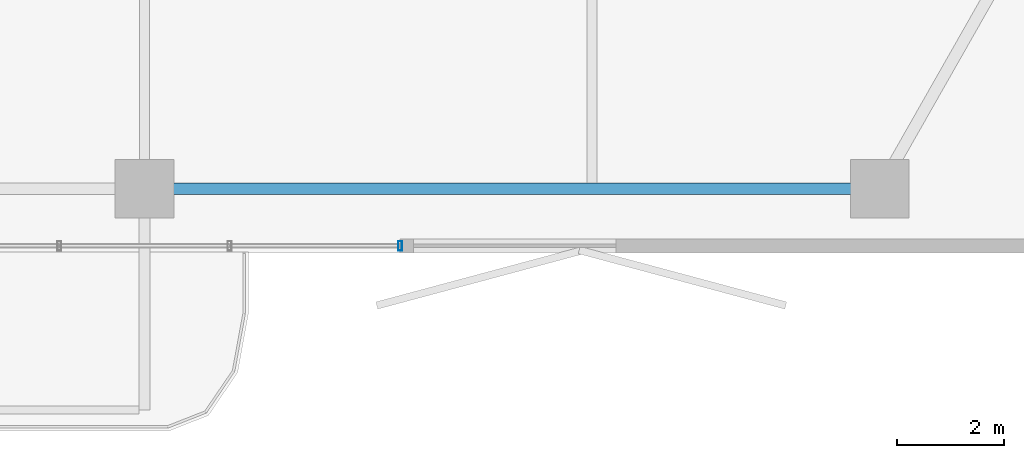
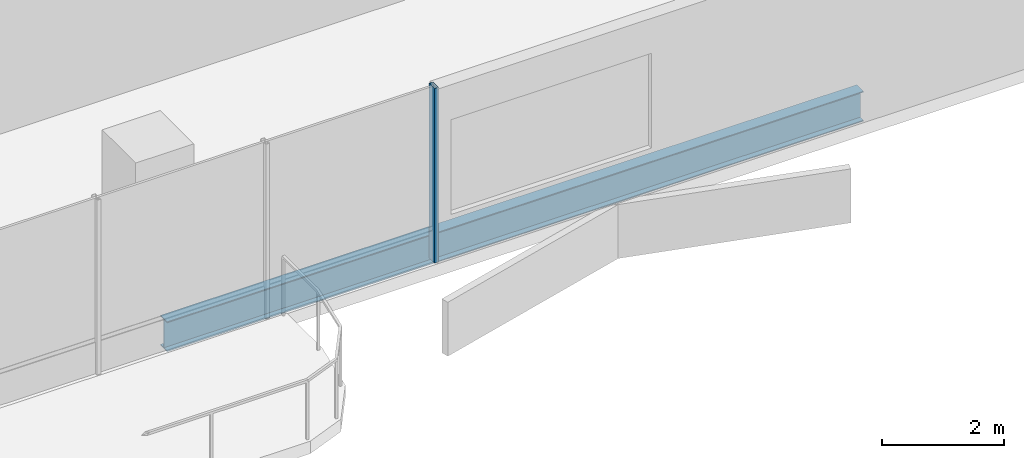
# One storey, part 6 of 24: 1 beam, 1 member, 1 element without a shape of its own.
"""IFC4 building model written with IfcOpenShell, lengths in metres."""

from ifc_helpers import new_model, si_unit, direction, frame, origin, origin_2d, place, context, subcontext, project, spatial, hollow_rectangle, i_section, extrude, material, layer, layer_set, material_profile, profile_set, type_object, element, aggregate, save


model = new_model("IFC4")

# Units and contexts
model_context = context("Model", 3, precision=1e-05, world=origin(), true_north=direction((0.0, 1.0)))
body_context = subcontext(model_context, "Body", "Model", "MODEL_VIEW")
ifc_project = project(units=[si_unit("LENGTHUNIT", "METRE"), si_unit("AREAUNIT", "SQUARE_METRE"), si_unit("VOLUMEUNIT", "CUBIC_METRE"), si_unit("PLANEANGLEUNIT", "RADIAN"), si_unit("MASSUNIT", "GRAM", prefix="KILO")], contexts=[model_context])

# Site, building, storey
site_placement = place(None, origin())
site = spatial("IfcSite", under=ifc_project, at=site_placement, CompositionType="ELEMENT")
building_placement = place(site_placement, origin())
building = spatial("IfcBuilding", under=site, at=building_placement, Name="Belovzor Exchange Tower", CompositionType="ELEMENT")
storey_placement = place(building_placement, frame((0.0, 0.0, 207.449951171875)))
storey = spatial("IfcBuildingStorey", under=building, at=storey_placement, Name="L51", CompositionType="ELEMENT", Elevation=207.449951171875)

# Curtain wall, member
ifc_material_1 = material(Name="Anodised Aluminium Framing", Category="aluminium")
ifc_layer = layer(ifc_material_1, 0.179931640625)
ifc_layer_set = layer_set([ifc_layer], Name="Anodised Aluminium Framing")
curtain_wall_type = type_object("IfcCurtainWallType", Name="Recessed Loggia Low-Iron Triple-Glazed Curtain Wall", PredefinedType="NOTDEFINED", material=ifc_layer_set)
curtain_wall_placement = place(storey_placement, origin())
curtain_wall = element("IfcCurtainWall", 1, at=curtain_wall_placement, inside=storey, type_object=curtain_wall_type, Name="CW3 Recessed Loggia Low-Iron Triple-Glazed Curtain Wall L51", PredefinedType="NOTDEFINED")
ifc_material_2 = material(Name="Steel S355", Category="steel")
ifc_material_profile_1 = material_profile(ifc_material_2, hollow_rectangle(XDim=0.074951171875, YDim=0.179931640625, WallThickness=0.0048828125, at=origin_2d()))
ifc_profile_set_1 = profile_set([ifc_material_profile_1], Name="Steel S355")
member_type = type_object("IfcMemberType", Name="Thermally Broken Curtain Wall Mullion 180x75", PredefinedType="MULLION", material=ifc_profile_set_1)
member_placement = place(storey_placement, frame((33.60009765625, 1.929931640625, 0.0), z_axis=(0.0, 0.0, 1.0), x_axis=(-1.0, 0.0, 0.0)))
member = element("IfcMember", 2, at=member_placement, type_object=member_type, Name="CW-M180 Curtain Wall Mullion 1", PredefinedType="MULLION", context=body_context, shape_type="SweptSolid", body=[
    extrude(hollow_rectangle(XDim=0.074951171875, YDim=0.179931640625, WallThickness=0.0048828125, at=origin_2d()), origin(), (0.0, 0.0, 1.0), 3.5),
])
aggregate(curtain_wall, [member])

# Beam
ifc_material_3 = material(Name="Steel S355", Category="steel")
ifc_material_profile_2 = material_profile(ifc_material_3, i_section(OverallWidth=0.219970703125, OverallDepth=0.60009765625, WebThickness=0.011962890625, FlangeThickness=0.01904296875, at=origin_2d()))
ifc_profile_set_2 = profile_set([ifc_material_profile_2], Name="Steel S355")
beam_type = type_object("IfcBeamType", Name="Zone 4 Flare Primary Girder IPE 600", PredefinedType="BEAM", material=ifc_profile_set_2)
beam_placement = place(storey_placement, frame((29.10205078125, 3.0, -0.550048828125), z_axis=(1.0, 0.0, 0.0), x_axis=(0.0, 1.0, 0.0)))
element("IfcBeam", 3, at=beam_placement, inside=storey, type_object=beam_type, Name="FG-Z4 Zone 4 Flare Primary Girder IPE 600", PredefinedType="BEAM", context=body_context, shape_type="SweptSolid", body=[
    extrude(i_section(OverallWidth=0.219970703125, OverallDepth=0.60009765625, WebThickness=0.011962890625, FlangeThickness=0.01904296875, at=origin_2d()), origin(), (0.0, 0.0, 1.0), 13.195068359375),
])

save(model, "model.ifc")
